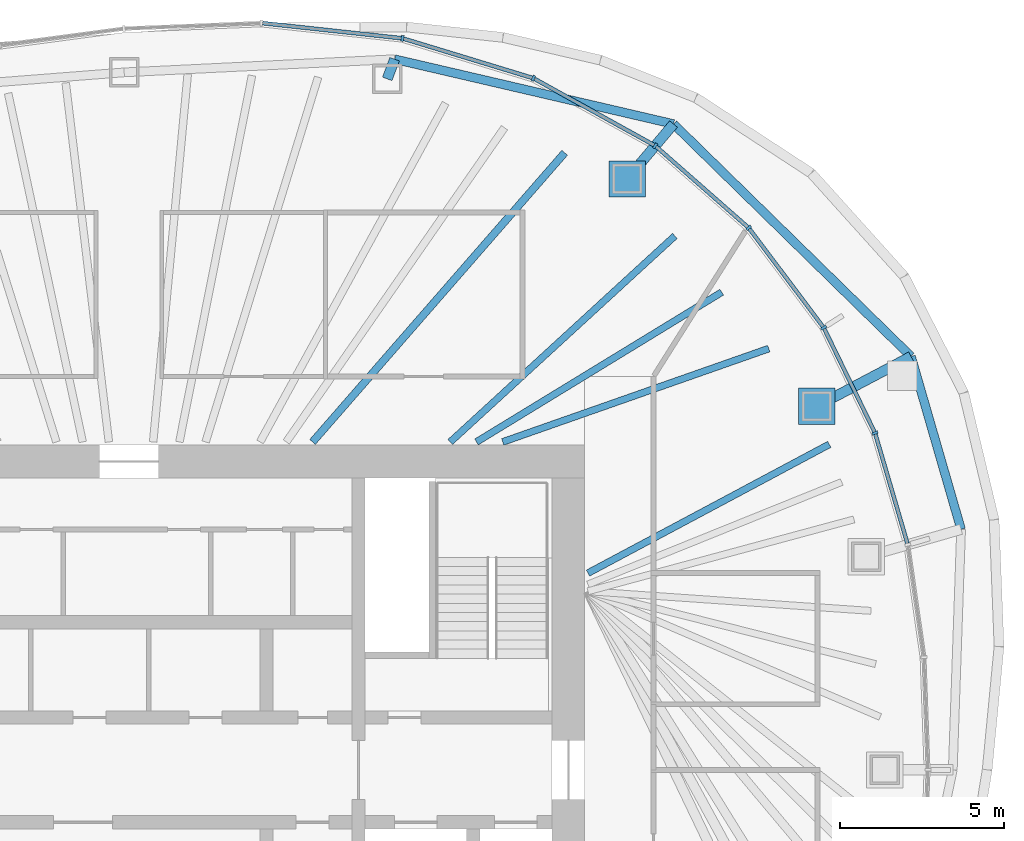
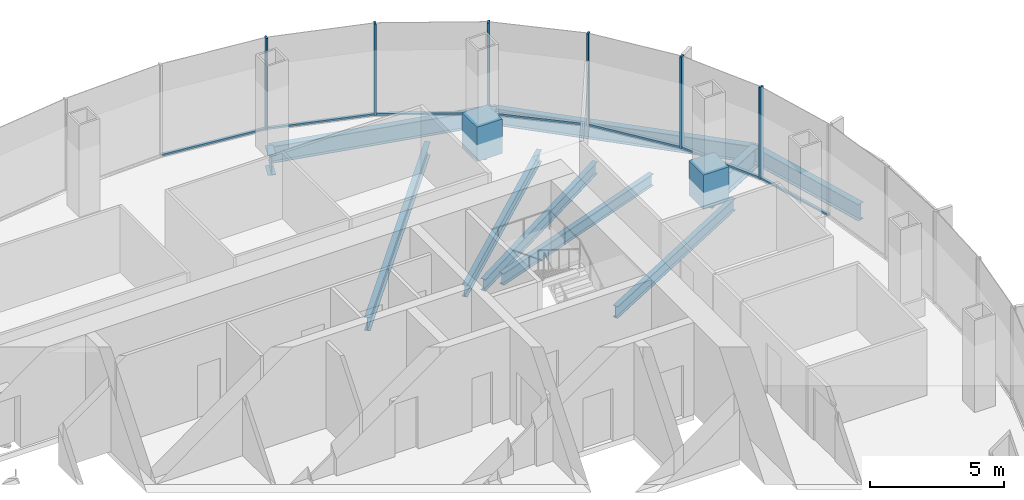
# One storey, part 7 of 13: 15 members, 11 beams, 4 elements without a shape of their own.
"""IFC4 building model written with IfcOpenShell, lengths in metres."""

from ifc_helpers import new_model, si_unit, direction, frame, origin, origin_2d, place, context, subcontext, project, spatial, rectangle, hollow_rectangle, i_section, extrude, boolean, material, material_profile, profile_set, type_object, element, aggregate, save


model = new_model("IFC4")

# Units and contexts
model_context = context("Model", 3, precision=1e-05, world=origin(), true_north=direction((0.0, 1.0)))
body_context = subcontext(model_context, "Body", "Model", "MODEL_VIEW")
ifc_project = project(units=[si_unit("LENGTHUNIT", "METRE"), si_unit("AREAUNIT", "SQUARE_METRE"), si_unit("VOLUMEUNIT", "CUBIC_METRE"), si_unit("PLANEANGLEUNIT", "RADIAN"), si_unit("MASSUNIT", "GRAM", prefix="KILO")], contexts=[model_context])

# Site, building, storey
site_placement = place(None, origin())
site = spatial("IfcSite", under=ifc_project, at=site_placement, CompositionType="ELEMENT")
building_placement = place(site_placement, origin())
building = spatial("IfcBuilding", under=site, at=building_placement, Name="Ghaith Harvest Tower", CompositionType="ELEMENT")
storey_placement = place(building_placement, frame((0.0, 0.0, 271.199951171875)))
storey = spatial("IfcBuildingStorey", under=building, at=storey_placement, Name="L60", CompositionType="ELEMENT", Elevation=271.199951171875)

# Curtain wall, member
ifc_material_1 = material(Name="Black anodised aluminium and fritted glass", Category="aluminium")
curtain_wall_type = type_object("IfcCurtainWallType", Name="CW-T CURTAIN WALL", PredefinedType="NOTDEFINED", material=ifc_material_1)
curtain_wall_1_placement = place(storey_placement, origin())
curtain_wall_1 = element("IfcCurtainWall", 1, at=curtain_wall_1_placement, inside=storey, type_object=curtain_wall_type, Name="Curtain wall CW-T bay 02 L60", PredefinedType="NOTDEFINED")
ifc_material_2 = material(Name="Aluminium, black anodised", Category="aluminium")
ifc_material_profile_1 = material_profile(ifc_material_2, rectangle(XDim=0.080078125, YDim=0.179931640625, at=origin_2d()), Name="CW-T MULLION 80x180")
ifc_profile_set_1 = profile_set([ifc_material_profile_1], Name="Aluminium, black anodised")
member_type_1 = type_object("IfcMemberType", Name="CW-T MULLION 80x180", PredefinedType="MULLION", material=ifc_profile_set_1)
member_1_placement = place(storey_placement, frame((22.754150390625, 10.272216796875, 0.0), z_axis=(0.0, 0.0, 1.0), x_axis=(-0.361184273709, 0.932494461338, 0.0)))
member_1 = element("IfcMember", 2, at=member_1_placement, type_object=member_type_1, Name="CW-T mullion 2 bay 02 L60", PredefinedType="MULLION", context=body_context, shape_type="SweptSolid", body=[
    extrude(rectangle(XDim=0.080078125, YDim=0.179931640625, at=origin_2d()), origin(), (0.0, 0.0, 1.0), 4.199951171875),
])

# Curtain wall, members
curtain_wall_2_placement = place(storey_placement, origin())
curtain_wall_2 = element("IfcCurtainWall", 3, at=curtain_wall_2_placement, inside=storey, type_object=curtain_wall_type, Name="Curtain wall CW-T bay 03 L60", PredefinedType="NOTDEFINED")
member_2_placement = place(storey_placement, frame((21.18896484375, 13.48486328125, 0.0), z_axis=(0.0, 0.0, 1.0), x_axis=(-0.524482238522, 0.851421388899, 0.0)))
member_2 = element("IfcMember", 4, at=member_2_placement, type_object=member_type_1, Name="CW-T mullion 1 bay 03 L60", PredefinedType="MULLION", context=body_context, shape_type="SweptSolid", body=[
    extrude(rectangle(XDim=0.080078125, YDim=0.179931640625, at=origin_2d()), origin(), (0.0, 0.0, 1.0), 4.199951171875),
])
member_3_placement = place(storey_placement, frame((18.901123046875, 16.527099609375, 0.0), z_axis=(0.0, 0.0, 1.0), x_axis=(-0.679660897075, 0.733526458274, 0.0)))
member_3 = element("IfcMember", 5, at=member_3_placement, type_object=member_type_1, Name="CW-T mullion 2 bay 03 L60", PredefinedType="MULLION", context=body_context, shape_type="SweptSolid", body=[
    extrude(rectangle(XDim=0.080078125, YDim=0.179931640625, at=origin_2d()), origin(), (0.0, 0.0, 1.0), 4.199951171875),
])

curtain_wall_3_placement = place(storey_placement, origin())
curtain_wall_3 = element("IfcCurtainWall", 6, at=curtain_wall_3_placement, inside=storey, type_object=curtain_wall_type, Name="Curtain wall CW-T bay 04 L60", PredefinedType="NOTDEFINED")
member_4_placement = place(storey_placement, frame((16.04931640625, 19.031982421875, 0.0), z_axis=(0.0, 0.0, 1.0), x_axis=(-0.821112053873, 0.570767023385, 0.0)))
member_4 = element("IfcMember", 7, at=member_4_placement, type_object=member_type_1, Name="CW-T mullion 1 bay 04 L60", PredefinedType="MULLION", context=body_context, shape_type="SweptSolid", body=[
    extrude(rectangle(XDim=0.080078125, YDim=0.179931640625, at=origin_2d()), origin(), (0.0, 0.0, 1.0), 4.199951171875),
])
member_5_placement = place(storey_placement, frame((12.334228515625, 21.091796875, 0.0), z_axis=(0.0, 0.0, 1.0), x_axis=(-0.920319269246, 0.391168049123, 0.0)))
member_5 = element("IfcMember", 8, at=member_5_placement, type_object=member_type_1, Name="CW-T mullion 2 bay 04 L60", PredefinedType="MULLION", context=body_context, shape_type="SweptSolid", body=[
    extrude(rectangle(XDim=0.080078125, YDim=0.179931640625, at=origin_2d()), origin(), (0.0, 0.0, 1.0), 4.199951171875),
])

# Curtain wall, member
curtain_wall_4_placement = place(storey_placement, origin())
curtain_wall_4 = element("IfcCurtainWall", 9, at=curtain_wall_4_placement, inside=storey, type_object=curtain_wall_type, Name="Curtain wall CW-T bay 05 L60", PredefinedType="NOTDEFINED")
member_6_placement = place(storey_placement, frame((8.33984375, 22.308837890625, 0.0), z_axis=(0.0, 0.0, 1.0), x_axis=(-0.980000193436, 0.198996534809, 0.0)))
member_6 = element("IfcMember", 10, at=member_6_placement, type_object=member_type_1, Name="CW-T mullion 1 bay 05 L60", PredefinedType="MULLION", context=body_context, shape_type="SweptSolid", body=[
    extrude(rectangle(XDim=0.080078125, YDim=0.179931640625, at=origin_2d()), origin(), (0.0, 0.0, 1.0), 4.199951171875),
])

# Member
ifc_material_3 = material(Name="Aluminium, black anodised", Category="aluminium")
ifc_material_profile_2 = material_profile(ifc_material_3, rectangle(XDim=0.1201171875, YDim=0.080078125, at=origin_2d()), Name="CW-T TRANSOM 120x80")
ifc_profile_set_2 = profile_set([ifc_material_profile_2], Name="Aluminium, black anodised")
member_type_2 = type_object("IfcMemberType", Name="CW-T TRANSOM 120x80", PredefinedType="USERDEFINED", material=ifc_profile_set_2)
member_7_placement = place(storey_placement, frame((23.741943359375, 6.903564453125, 0.0400390625), z_axis=(-0.281385475469, 0.95959481772, 0.0), x_axis=(-0.95959481772, -0.281385475469, 0.0)))
member_7 = element("IfcMember", 11, at=member_7_placement, type_object=member_type_2, Name="CW-T transom 1 bay 02 L60", ObjectType="TRANSOM", PredefinedType="USERDEFINED", context=body_context, shape_type="SweptSolid", body=[
    extrude(rectangle(XDim=0.1201171875, YDim=0.080078125, at=origin_2d()), origin(), (0.0, 0.0, 1.0), 3.470458984375),
])

member_8_placement = place(storey_placement, frame((22.736572265625, 10.308349609375, 0.0400390625), z_axis=(-0.437965078712, 0.898991985408, 0.0), x_axis=(-0.898991985408, -0.437965078712, 0.0)))
member_8 = element("IfcMember", 12, at=member_8_placement, type_object=member_type_2, Name="CW-T transom 2 bay 02 L60", ObjectType="TRANSOM", PredefinedType="USERDEFINED", context=body_context, shape_type="SweptSolid", body=[
    extrude(rectangle(XDim=0.1201171875, YDim=0.080078125, at=origin_2d()), origin(), (0.0, 0.0, 1.0), 3.493408203125),
])

aggregate(curtain_wall_1, [member_7, member_1, member_8])

member_9_placement = place(storey_placement, frame((21.1650390625, 13.516845703125, 0.0400390625), z_axis=(-0.601079103045, 0.799189534392, 0.0), x_axis=(-0.799189534392, -0.601079103045, 0.0)))
member_9 = element("IfcMember", 13, at=member_9_placement, type_object=member_type_2, Name="CW-T transom 1 bay 03 L60", ObjectType="TRANSOM", PredefinedType="USERDEFINED", context=body_context, shape_type="SweptSolid", body=[
    extrude(rectangle(XDim=0.1201171875, YDim=0.080078125, at=origin_2d()), origin(), (0.0, 0.0, 1.0), 3.7265625),
])

member_10_placement = place(storey_placement, frame((18.87109375, 16.553466796875, 0.0400390625), z_axis=(-0.751325799984, 0.659931467865, 0.0), x_axis=(-0.659931467865, -0.751325799984, 0.0)))
member_10 = element("IfcMember", 14, at=member_10_placement, type_object=member_type_2, Name="CW-T transom 2 bay 03 L60", ObjectType="TRANSOM", PredefinedType="USERDEFINED", context=body_context, shape_type="SweptSolid", body=[
    extrude(rectangle(XDim=0.1201171875, YDim=0.080078125, at=origin_2d()), origin(), (0.0, 0.0, 1.0), 3.7158203125),
])

aggregate(curtain_wall_2, [member_2, member_9, member_3, member_10])

member_11_placement = place(storey_placement, frame((16.01416015625, 19.051513671875, 0.0400390625), z_axis=(-0.874552130553, 0.484931511603, 0.0), x_axis=(-0.484931511603, -0.874552130553, 0.0)))
member_11 = element("IfcMember", 15, at=member_11_placement, type_object=member_type_2, Name="CW-T transom 1 bay 04 L60", ObjectType="TRANSOM", PredefinedType="USERDEFINED", context=body_context, shape_type="SweptSolid", body=[
    extrude(rectangle(XDim=0.1201171875, YDim=0.080078125, at=origin_2d()), origin(), (0.0, 0.0, 1.0), 4.16748046875),
])

member_12_placement = place(storey_placement, frame((12.296142578125, 21.103515625, 0.0400390625), z_axis=(-0.956593713342, 0.291424891858, 0.0), x_axis=(-0.291424891858, -0.956593713342, 0.0)))
member_12 = element("IfcMember", 16, at=member_12_placement, type_object=member_type_2, Name="CW-T transom 2 bay 04 L60", ObjectType="TRANSOM", PredefinedType="USERDEFINED", context=body_context, shape_type="SweptSolid", body=[
    extrude(rectangle(XDim=0.1201171875, YDim=0.080078125, at=origin_2d()), origin(), (0.0, 0.0, 1.0), 4.095703125),
])

aggregate(curtain_wall_3, [member_4, member_11, member_5, member_12])

member_13_placement = place(storey_placement, frame((8.300048828125, 22.313232421875, 0.0400390625), z_axis=(-0.994144463069, 0.108059180768, 0.0), x_axis=(-0.108059180768, -0.994144463069, 0.0)))
member_13 = element("IfcMember", 17, at=member_13_placement, type_object=member_type_2, Name="CW-T transom 1 bay 05 L60", ObjectType="TRANSOM", PredefinedType="USERDEFINED", context=body_context, shape_type="SweptSolid", body=[
    extrude(rectangle(XDim=0.1201171875, YDim=0.080078125, at=origin_2d()), origin(), (0.0, 0.0, 1.0), 4.24755859375),
])

aggregate(curtain_wall_4, [member_6, member_13])

# Beams
ifc_material_4 = material(Name="Steel ASTM A992 Grade 50", Category="steel")
ifc_material_profile_3 = material_profile(ifc_material_4, i_section(OverallWidth=0.26611328125, OverallDepth=0.758056640625, WebThickness=0.013916015625, FlangeThickness=0.019287109375, at=origin_2d()), Name="W760X161")
ifc_profile_set_3 = profile_set([ifc_material_profile_3], Name="Steel ASTM A992 Grade 50")
beam_type_1 = type_object("IfcBeamType", Name="E760-161 W760X161", PredefinedType="SPANDREL", material=ifc_profile_set_3)
beam_1_placement = place(storey_placement, frame((25.37841796875, 7.3349609375, -0.654052734375), z_axis=(-0.278120714566, 0.960546130141, 0.0), x_axis=(-0.960546130141, -0.278120714566, 0.0)))
element("IfcBeam", 18, at=beam_1_placement, inside=storey, type_object=beam_type_1, Name="Setback edge beam E02 L60", PredefinedType="SPANDREL", context=body_context, shape_type="SweptSolid", body=[
    extrude(i_section(OverallWidth=0.26611328125, OverallDepth=0.758056640625, WebThickness=0.013916015625, FlangeThickness=0.019287109375, at=origin_2d()), origin(), (0.0, 0.0, 1.0), 5.489013671875),
])
beam_2_placement = place(storey_placement, frame((23.851806640625, 12.607421875, -0.654052734375), z_axis=(-0.714737942316, 0.69939236042, 0.0), x_axis=(-0.69939236042, -0.714737942316, 0.0)))
element("IfcBeam", 19, at=beam_2_placement, inside=storey, type_object=beam_type_1, Name="Setback edge beam E03 L60", PredefinedType="SPANDREL", context=body_context, shape_type="SweptSolid", body=[
    extrude(i_section(OverallWidth=0.26611328125, OverallDepth=0.758056640625, WebThickness=0.013916015625, FlangeThickness=0.019287109375, at=origin_2d()), origin(), (0.0, 0.0, 1.0), 10.13427734375),
])
beam_3_placement = place(storey_placement, frame((16.6083984375, 19.6953125, -0.654052734375), z_axis=(-0.974031401912, 0.22641295919, 0.0), x_axis=(-0.22641295919, -0.974031401912, 0.0)))
element("IfcBeam", 20, at=beam_3_placement, inside=storey, type_object=beam_type_1, Name="Setback edge beam E04 L60", PredefinedType="SPANDREL", context=body_context, shape_type="SweptSolid", body=[
    extrude(i_section(OverallWidth=0.26611328125, OverallDepth=0.758056640625, WebThickness=0.013916015625, FlangeThickness=0.019287109375, at=origin_2d()), origin(), (0.0, 0.0, 1.0), 8.733154296875),
])
ifc_material_5 = material(Name="Steel ASTM A992 Grade 50", Category="steel")
ifc_material_profile_4 = material_profile(ifc_material_5, i_section(OverallWidth=0.31005859375, OverallDepth=0.927001953125, WebThickness=0.019287109375, FlangeThickness=0.031982421875, at=origin_2d()), Name="W920X289")
ifc_profile_set_4 = profile_set([ifc_material_profile_4], Name="Steel ASTM A992 Grade 50")
beam_type_2 = type_object("IfcBeamType", Name="G920-289 W920X289", PredefinedType="BEAM", material=ifc_profile_set_4)
beam_4_placement = place(storey_placement, frame((20.97705078125, 11.087890625, -0.738525390625), z_axis=(0.884092724588, 0.467311517438, 0.0), x_axis=(-0.467311517438, 0.884092724588, 0.0)))
element("IfcBeam", 21, at=beam_4_placement, inside=storey, type_object=beam_type_2, Name="Setback cantilever G03 L60", PredefinedType="BEAM", context=body_context, shape_type="SweptSolid", body=[
    extrude(i_section(OverallWidth=0.31005859375, OverallDepth=0.927001953125, WebThickness=0.019287109375, FlangeThickness=0.031982421875, at=origin_2d()), origin(), (0.0, 0.0, 1.0), 3.251708984375),
])
beam_5_placement = place(storey_placement, frame((15.197998046875, 18.02294921875, -0.738525390625), z_axis=(0.644695728385, 0.764439283267, 0.0), x_axis=(-0.764439283267, 0.644695728385, 0.0)))
element("IfcBeam", 22, at=beam_5_placement, inside=storey, type_object=beam_type_2, Name="Setback cantilever G04 L60", PredefinedType="BEAM", context=body_context, shape_type="SweptSolid", body=[
    extrude(i_section(OverallWidth=0.31005859375, OverallDepth=0.927001953125, WebThickness=0.019287109375, FlangeThickness=0.031982421875, at=origin_2d()), origin(), (0.0, 0.0, 1.0), 2.187744140625),
])
beam_6_placement = place(storey_placement, frame((7.8779296875, 21.072021484375, -0.738525390625), z_axis=(0.34962045732, 0.936891421576, 0.0), x_axis=(-0.936891421576, 0.34962045732, 0.0)))
element("IfcBeam", 23, at=beam_6_placement, inside=storey, type_object=beam_type_2, Name="Setback cantilever G05 L60", PredefinedType="BEAM", context=body_context, shape_type="SweptSolid", body=[
    extrude(i_section(OverallWidth=0.31005859375, OverallDepth=0.927001953125, WebThickness=0.019287109375, FlangeThickness=0.031982421875, at=origin_2d()), origin(), (0.0, 0.0, 1.0), 0.64111328125),
])
ifc_material_6 = material(Name="Steel ASTM A992 Grade 50", Category="steel")
ifc_material_profile_5 = material_profile(ifc_material_6, i_section(OverallWidth=0.2109375, OverallDepth=0.5390625, WebThickness=0.01171875, FlangeThickness=0.018798828125, at=origin_2d()), Name="W530X109")
ifc_profile_set_5 = profile_set([ifc_material_profile_5], Name="Steel ASTM A992 Grade 50")
beam_type_3 = type_object("IfcBeamType", Name="J530-109 W530X109", PredefinedType="JOIST", material=ifc_profile_set_5)
beam_7_placement = place(storey_placement, frame((14.0, 6.0, -0.439453125), z_axis=(0.882301077688, 0.470685466433, 0.0), x_axis=(-0.470685466433, 0.882301077688, 0.0)))
element("IfcBeam", 24, at=beam_7_placement, inside=storey, type_object=beam_type_3, Name="Joist J02.3 L60", PredefinedType="JOIST", context=body_context, shape_type="SweptSolid", body=[
    extrude(i_section(OverallWidth=0.2109375, OverallDepth=0.5390625, WebThickness=0.01171875, FlangeThickness=0.018798828125, at=origin_2d()), origin(), (0.0, 0.0, 1.0), 8.340576171875),
])
beam_8_placement = place(storey_placement, frame((11.39990234375, 10.0, -0.439453125), z_axis=(0.943605274188, 0.331072630285, 0.0), x_axis=(-0.331072630285, 0.943605274188, 0.0)))
element("IfcBeam", 25, at=beam_8_placement, inside=storey, type_object=beam_type_3, Name="Joist J03.1 L60", PredefinedType="JOIST", context=body_context, shape_type="SweptSolid", body=[
    extrude(i_section(OverallWidth=0.2109375, OverallDepth=0.5390625, WebThickness=0.01171875, FlangeThickness=0.018798828125, at=origin_2d()), origin(), (0.0, 0.0, 1.0), 8.596923828125),
])
beam_9_placement = place(storey_placement, frame((10.60009765625, 10.0, -0.439453125), z_axis=(0.853467052113, 0.521146803654, 0.0), x_axis=(-0.521146803654, 0.853467052113, 0.0)))
element("IfcBeam", 26, at=beam_9_placement, inside=storey, type_object=beam_type_3, Name="Joist J03.2 L60", PredefinedType="JOIST", context=body_context, shape_type="SweptSolid", body=[
    extrude(i_section(OverallWidth=0.2109375, OverallDepth=0.5390625, WebThickness=0.01171875, FlangeThickness=0.018798828125, at=origin_2d()), origin(), (0.0, 0.0, 1.0), 8.76220703125),
])
beam_10_placement = place(storey_placement, frame((9.800048828125, 10.0, -0.439453125), z_axis=(0.736998187228, 0.675894719629, 0.0), x_axis=(-0.675894719629, 0.736998187228, 0.0)))
element("IfcBeam", 27, at=beam_10_placement, inside=storey, type_object=beam_type_3, Name="Joist J03.3 L60", PredefinedType="JOIST", context=body_context, shape_type="SweptSolid", body=[
    extrude(i_section(OverallWidth=0.2109375, OverallDepth=0.5390625, WebThickness=0.01171875, FlangeThickness=0.018798828125, at=origin_2d()), origin(), (0.0, 0.0, 1.0), 9.293701171875),
])
ifc_material_7 = material(Name="Steel ASTM A992 Grade 50", Category="steel")
ifc_material_profile_6 = material_profile(ifc_material_7, i_section(OverallWidth=0.22998046875, OverallDepth=0.616943359375, WebThickness=0.01318359375, FlangeThickness=0.022216796875, at=origin_2d()), Name="W610X140")
ifc_profile_set_6 = profile_set([ifc_material_profile_6], Name="Steel ASTM A992 Grade 50")
beam_type_4 = type_object("IfcBeamType", Name="J610-140 W610X140", PredefinedType="JOIST", material=ifc_profile_set_6)
beam_11_placement = place(storey_placement, frame((5.60009765625, 10.0, -0.478515625), z_axis=(0.657213934262, 0.753704082921, 0.0), x_axis=(-0.753704082921, 0.657213934262, 0.0)))
element("IfcBeam", 28, at=beam_11_placement, inside=storey, type_object=beam_type_4, Name="Joist J04.1 L60", PredefinedType="JOIST", context=body_context, shape_type="SweptSolid", body=[
    extrude(i_section(OverallWidth=0.22998046875, OverallDepth=0.616943359375, WebThickness=0.01318359375, FlangeThickness=0.022216796875, at=origin_2d()), origin(), (0.0, 0.0, 1.0), 11.69970703125),
])

# Members
ifc_material_8 = material(Name="Steel S460M", Category="steel")
ifc_material_profile_7 = material_profile(ifc_material_8, hollow_rectangle(XDim=1.10009765625, YDim=1.10009765625, WallThickness=0.080078125, at=origin_2d()), Name="BOX1100X1100X80")
ifc_profile_set_7 = profile_set([ifc_material_profile_7], Name="Steel S460M")
member_type_3 = type_object("IfcMemberType", Name="KN1 BOX1100X1100X80", PredefinedType="USERDEFINED", material=ifc_profile_set_7)
for number, where, z_axis, x_axis, name in (
    (29, (20.97705078125, 11.087890625, -0.77490234375), (0.0, 0.0, 1.0), (1.0, 0.0, 0.0), "Raked column kink node C03 head L59"),
    (30, (15.197998046875, 18.02294921875, -0.77490234375), (0.0, 0.0, 1.0), (1.0, 0.0, 0.0), "Raked column kink node C04 head L59"),
):
    element("IfcMember", number, at=place(storey_placement, frame(where, z_axis=z_axis, x_axis=x_axis)), inside=storey, type_object=member_type_3, Name=name, ObjectType="KINK NODE", PredefinedType="USERDEFINED", context=body_context, shape_type="CSG", body=[
        boolean("UNION", extrude(hollow_rectangle(XDim=1.10009765625, YDim=1.10009765625, WallThickness=0.080078125, at=origin_2d()), origin(), (0.0, 0.0, 1.0), 1.550048828125), extrude(rectangle(XDim=1.10009765625, YDim=1.10009765625, at=origin_2d()), frame((0.0, 0.0, 1.550048828125)), (0.0, 0.0, 1.0), 0.02490234375)),
    ])

save(model, "model.ifc")
